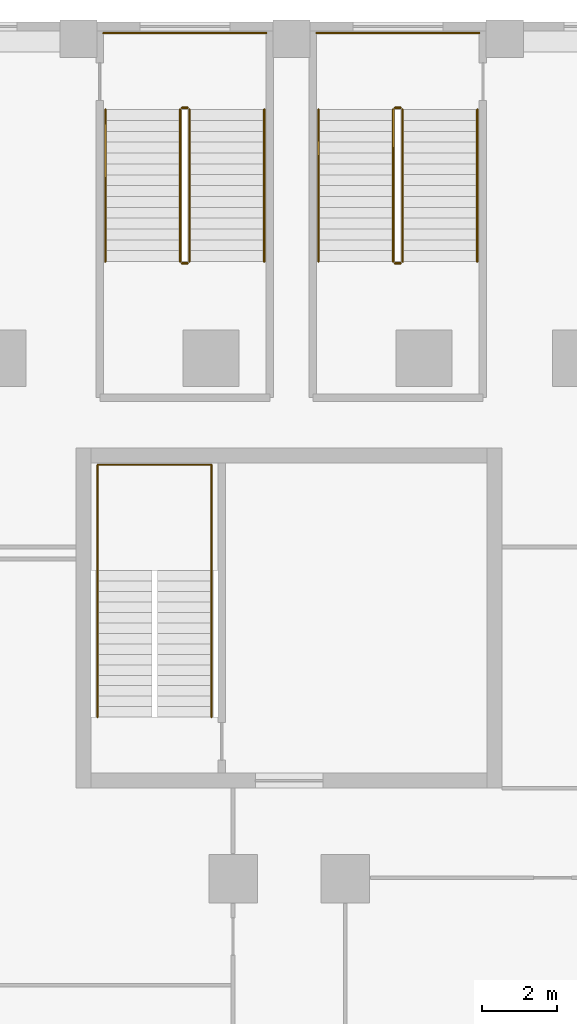
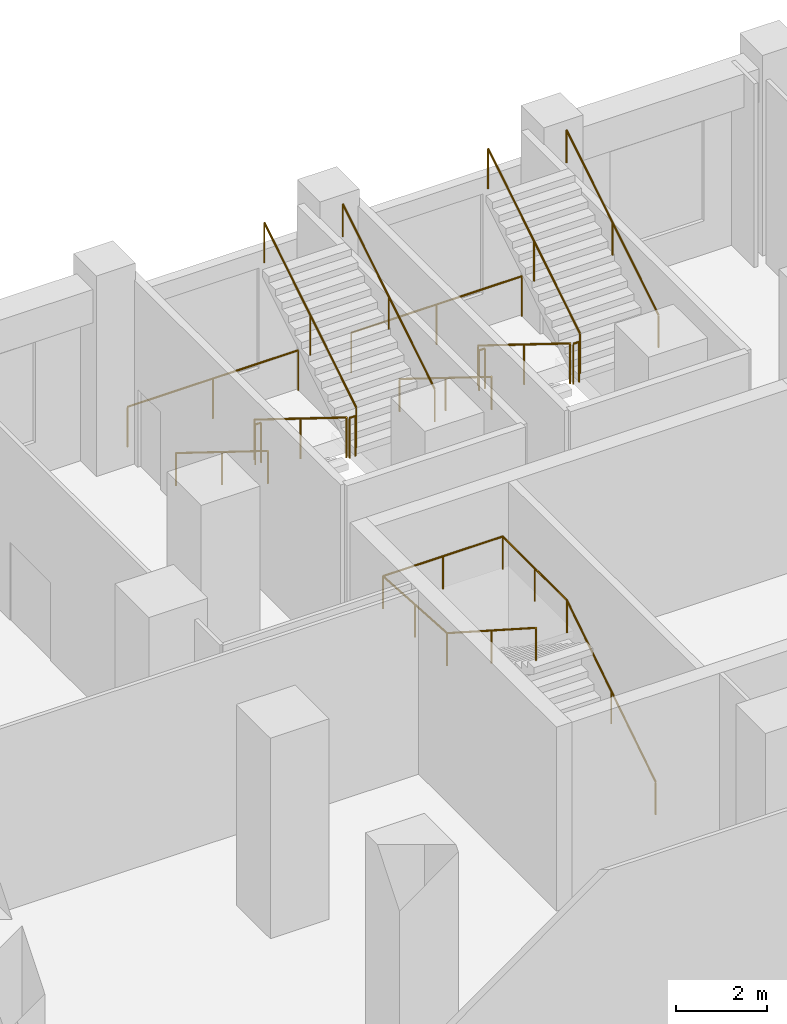
# One storey, part 23 of 23: 15 railings.
"""IFC4 building model written with IfcOpenShell, lengths in metres."""

from ifc_helpers import new_model, si_unit, direction, frame, origin, origin_2d, place, context, subcontext, project, spatial, circle, extrude, material, type_object, element, save


model = new_model("IFC4")

# Units and contexts
model_context = context("Model", 3, precision=1e-05, world=origin(), true_north=direction((0.0, 1.0)))
body_context = subcontext(model_context, "Body", "Model", "MODEL_VIEW")
ifc_project = project(units=[si_unit("LENGTHUNIT", "METRE"), si_unit("AREAUNIT", "SQUARE_METRE"), si_unit("VOLUMEUNIT", "CUBIC_METRE"), si_unit("PLANEANGLEUNIT", "RADIAN"), si_unit("MASSUNIT", "GRAM", prefix="KILO")], contexts=[model_context])

# Site, building, storey
site_placement = place(None, origin())
site = spatial("IfcSite", under=ifc_project, at=site_placement, CompositionType="ELEMENT")
building_placement = place(site_placement, origin())
building = spatial("IfcBuilding", under=site, at=building_placement, Name="Meshkara Civic Tower", CompositionType="ELEMENT")
storey_placement = place(building_placement, frame((0.0, 0.0, 7.199951171875)))
storey = spatial("IfcBuildingStorey", under=building, at=storey_placement, Name="L01", CompositionType="ELEMENT", Elevation=7.199951171875)

# Railings
ifc_material_1 = material(Name="Steel guard", Category="steel")
railing_type_1 = type_object("IfcRailingType", Name="Podium stair guard 1100", PredefinedType="GUARDRAIL", material=ifc_material_1)
railing_1_placement = place(storey_placement, frame((8.485107421875, 89.419921875, 0.179931640625)))
element("IfcRailing", 1, at=railing_1_placement, inside=storey, type_object=railing_type_1, Name="L01 PS1 stair guard 1", PredefinedType="GUARDRAIL", context=body_context, shape_type="SweptSolid", body=[
    extrude(circle(Radius=0.02392578125, at=origin_2d()), frame((0.0, 0.0, 1.076171875), z_axis=(0.0, -0.849627535208, 0.527383211162), x_axis=(1.0, 0.0, 0.0)), (0.0, 0.0, 1.0), 4.7783203125),
    extrude(circle(Radius=0.02099609375, at=origin_2d()), origin(), (0.0, 0.0, 1.0), 1.052001953125),
    extrude(circle(Radius=0.02099609375, at=origin_2d()), frame((0.0, -2.02978515625, 1.260009765625)), (0.0, 0.0, 1.0), 1.052001953125),
    extrude(circle(Radius=0.02099609375, at=origin_2d()), frame((0.0, -4.059814453125, 2.52001953125)), (0.0, 0.0, 1.0), 1.052001953125),
])
railing_2_placement = place(storey_placement, frame((8.534912109375, 85.31005859375, 2.699951171875)))
element("IfcRailing", 2, at=railing_2_placement, inside=storey, type_object=railing_type_1, Name="L01 PS1 stair guard 2", PredefinedType="GUARDRAIL", context=body_context, shape_type="SweptSolid", body=[
    extrude(circle(Radius=0.02392578125, at=origin_2d()), frame((0.0, 0.0, 1.076171875), z_axis=(1.0, 0.0, 0.0), x_axis=(0.0, 1.0, 0.0)), (0.0, 0.0, 1.0), 0.150146484375),
    extrude(circle(Radius=0.02099609375, at=origin_2d()), origin(), (0.0, 0.0, 1.0), 1.052001953125),
    extrude(circle(Radius=0.02099609375, at=origin_2d()), frame((0.150146484375, 0.0, 0.0)), (0.0, 0.0, 1.0), 1.052001953125),
])
railing_3_placement = place(storey_placement, frame((8.735107421875, 85.360107421875, 2.880126953125)))
element("IfcRailing", 3, at=railing_3_placement, inside=storey, type_object=railing_type_1, Name="L01 PS1 stair guard 3", PredefinedType="GUARDRAIL", context=body_context, shape_type="SweptSolid", body=[
    extrude(circle(Radius=0.02392578125, at=origin_2d()), frame((0.0, 0.0, 1.076171875), z_axis=(0.0, 0.849627535208, 0.527383211162), x_axis=(-1.0, 0.0, 0.0)), (0.0, 0.0, 1.0), 4.7783203125),
    extrude(circle(Radius=0.02099609375, at=origin_2d()), origin(), (0.0, 0.0, 1.0), 1.052001953125),
    extrude(circle(Radius=0.02099609375, at=origin_2d()), frame((0.0, 2.02978515625, 1.260009765625)), (0.0, 0.0, 1.0), 1.052001953125),
    extrude(circle(Radius=0.02099609375, at=origin_2d()), frame((0.0, 4.059814453125, 2.52001953125)), (0.0, 0.0, 1.0), 1.052001953125),
])
railing_4_placement = place(storey_placement, frame((8.534912109375, 89.469970703125, 0.0)))
element("IfcRailing", 4, at=railing_4_placement, inside=storey, type_object=railing_type_1, Name="L01 PS1 stair guard 4", PredefinedType="GUARDRAIL", context=body_context, shape_type="SweptSolid", body=[
    extrude(circle(Radius=0.02392578125, at=origin_2d()), frame((0.0, 0.0, 1.076171875), z_axis=(1.0, 0.0, 0.0), x_axis=(0.0, 1.0, 0.0)), (0.0, 0.0, 1.0), 0.150146484375),
    extrude(circle(Radius=0.02099609375, at=origin_2d()), origin(), (0.0, 0.0, 1.0), 1.052001953125),
    extrude(circle(Radius=0.02099609375, at=origin_2d()), frame((0.150146484375, 0.0, 0.0)), (0.0, 0.0, 1.0), 1.052001953125),
])
railing_5_placement = place(storey_placement, frame((6.43505859375, 91.469970703125, 0.0)))
element("IfcRailing", 5, at=railing_5_placement, inside=storey, type_object=railing_type_1, Name="L01 PS1 stair guard 5", PredefinedType="GUARDRAIL", context=body_context, shape_type="SweptSolid", body=[
    extrude(circle(Radius=0.02392578125, at=origin_2d()), frame((0.0, 0.0, 1.076171875), z_axis=(1.0, 0.0, 0.0), x_axis=(0.0, 1.0, 0.0)), (0.0, 0.0, 1.0), 4.349853515625),
    extrude(circle(Radius=0.02099609375, at=origin_2d()), origin(), (0.0, 0.0, 1.0), 1.052001953125),
    extrude(circle(Radius=0.02099609375, at=origin_2d()), frame((2.1748046875, 0.0, 0.0)), (0.0, 0.0, 1.0), 1.052001953125),
    extrude(circle(Radius=0.02099609375, at=origin_2d()), frame((4.349853515625, 0.0, 0.0)), (0.0, 0.0, 1.0), 1.052001953125),
])
railing_6_placement = place(storey_placement, frame((14.18505859375, 89.419921875, 0.179931640625)))
element("IfcRailing", 6, at=railing_6_placement, inside=storey, type_object=railing_type_1, Name="L01 PS2 stair guard 1", PredefinedType="GUARDRAIL", context=body_context, shape_type="SweptSolid", body=[
    extrude(circle(Radius=0.02392578125, at=origin_2d()), frame((0.0, 0.0, 1.076171875), z_axis=(0.0, -0.849627535208, 0.527383211162), x_axis=(1.0, 0.0, 0.0)), (0.0, 0.0, 1.0), 4.7783203125),
    extrude(circle(Radius=0.02099609375, at=origin_2d()), origin(), (0.0, 0.0, 1.0), 1.052001953125),
    extrude(circle(Radius=0.02099609375, at=origin_2d()), frame((0.0, -2.02978515625, 1.260009765625)), (0.0, 0.0, 1.0), 1.052001953125),
    extrude(circle(Radius=0.02099609375, at=origin_2d()), frame((0.0, -4.059814453125, 2.52001953125)), (0.0, 0.0, 1.0), 1.052001953125),
])
railing_7_placement = place(storey_placement, frame((14.235107421875, 85.31005859375, 2.699951171875)))
element("IfcRailing", 7, at=railing_7_placement, inside=storey, type_object=railing_type_1, Name="L01 PS2 stair guard 2", PredefinedType="GUARDRAIL", context=body_context, shape_type="SweptSolid", body=[
    extrude(circle(Radius=0.02392578125, at=origin_2d()), frame((0.0, 0.0, 1.076171875), z_axis=(1.0, 0.0, 0.0), x_axis=(0.0, 1.0, 0.0)), (0.0, 0.0, 1.0), 0.14990234375),
    extrude(circle(Radius=0.02099609375, at=origin_2d()), origin(), (0.0, 0.0, 1.0), 1.052001953125),
    extrude(circle(Radius=0.02099609375, at=origin_2d()), frame((0.14990234375, 0.0, 0.0)), (0.0, 0.0, 1.0), 1.052001953125),
])
railing_8_placement = place(storey_placement, frame((14.43505859375, 85.360107421875, 2.880126953125)))
element("IfcRailing", 8, at=railing_8_placement, inside=storey, type_object=railing_type_1, Name="L01 PS2 stair guard 3", PredefinedType="GUARDRAIL", context=body_context, shape_type="SweptSolid", body=[
    extrude(circle(Radius=0.02392578125, at=origin_2d()), frame((0.0, 0.0, 1.076171875), z_axis=(0.0, 0.849627535208, 0.527383211162), x_axis=(-1.0, 0.0, 0.0)), (0.0, 0.0, 1.0), 4.7783203125),
    extrude(circle(Radius=0.02099609375, at=origin_2d()), origin(), (0.0, 0.0, 1.0), 1.052001953125),
    extrude(circle(Radius=0.02099609375, at=origin_2d()), frame((0.0, 2.02978515625, 1.260009765625)), (0.0, 0.0, 1.0), 1.052001953125),
    extrude(circle(Radius=0.02099609375, at=origin_2d()), frame((0.0, 4.059814453125, 2.52001953125)), (0.0, 0.0, 1.0), 1.052001953125),
])
railing_9_placement = place(storey_placement, frame((14.235107421875, 89.469970703125, 0.0)))
element("IfcRailing", 9, at=railing_9_placement, inside=storey, type_object=railing_type_1, Name="L01 PS2 stair guard 4", PredefinedType="GUARDRAIL", context=body_context, shape_type="SweptSolid", body=[
    extrude(circle(Radius=0.02392578125, at=origin_2d()), frame((0.0, 0.0, 1.076171875), z_axis=(1.0, 0.0, 0.0), x_axis=(0.0, 1.0, 0.0)), (0.0, 0.0, 1.0), 0.14990234375),
    extrude(circle(Radius=0.02099609375, at=origin_2d()), origin(), (0.0, 0.0, 1.0), 1.052001953125),
    extrude(circle(Radius=0.02099609375, at=origin_2d()), frame((0.14990234375, 0.0, 0.0)), (0.0, 0.0, 1.0), 1.052001953125),
])
railing_10_placement = place(storey_placement, frame((12.135009765625, 91.469970703125, 0.0)))
element("IfcRailing", 10, at=railing_10_placement, inside=storey, type_object=railing_type_1, Name="L01 PS2 stair guard 5", PredefinedType="GUARDRAIL", context=body_context, shape_type="SweptSolid", body=[
    extrude(circle(Radius=0.02392578125, at=origin_2d()), frame((0.0, 0.0, 1.076171875), z_axis=(1.0, 0.0, 0.0), x_axis=(0.0, 1.0, 0.0)), (0.0, 0.0, 1.0), 4.35009765625),
    extrude(circle(Radius=0.02099609375, at=origin_2d()), origin(), (0.0, 0.0, 1.0), 1.052001953125),
    extrude(circle(Radius=0.02099609375, at=origin_2d()), frame((2.175048828125, 0.0, 0.0)), (0.0, 0.0, 1.0), 1.052001953125),
    extrude(circle(Radius=0.02099609375, at=origin_2d()), frame((4.35009765625, 0.0, 0.0)), (0.0, 0.0, 1.0), 1.052001953125),
])
ifc_material_2 = material(Name="Steel handrail", Category="steel")
railing_type_2 = type_object("IfcRailingType", Name="Podium stair handrail 900", PredefinedType="HANDRAIL", material=ifc_material_2)
railing_11_placement = place(storey_placement, frame((6.485107421875, 89.419921875, 0.179931640625)))
element("IfcRailing", 11, at=railing_11_placement, inside=storey, type_object=railing_type_2, Name="L01 PS1 stair handrail 1", PredefinedType="HANDRAIL", context=body_context, shape_type="SweptSolid", body=[
    extrude(circle(Radius=0.02392578125, at=origin_2d()), frame((0.0, 0.0, 0.8759765625), z_axis=(0.0, -0.849627535208, 0.527383211162), x_axis=(1.0, 0.0, 0.0)), (0.0, 0.0, 1.0), 4.7783203125),
    extrude(circle(Radius=0.02099609375, at=origin_2d()), origin(), (0.0, 0.0, 1.0), 0.851806640625),
    extrude(circle(Radius=0.02099609375, at=origin_2d()), frame((0.0, -2.02978515625, 1.260009765625)), (0.0, 0.0, 1.0), 0.851806640625),
    extrude(circle(Radius=0.02099609375, at=origin_2d()), frame((0.0, -4.059814453125, 2.52001953125)), (0.0, 0.0, 1.0), 0.851806640625),
])
railing_12_placement = place(storey_placement, frame((10.735107421875, 85.360107421875, 2.880126953125)))
element("IfcRailing", 12, at=railing_12_placement, inside=storey, type_object=railing_type_2, Name="L01 PS1 stair handrail 2", PredefinedType="HANDRAIL", context=body_context, shape_type="SweptSolid", body=[
    extrude(circle(Radius=0.02392578125, at=origin_2d()), frame((0.0, 0.0, 0.8759765625), z_axis=(0.0, 0.849627535208, 0.527383211162), x_axis=(-1.0, 0.0, 0.0)), (0.0, 0.0, 1.0), 4.7783203125),
    extrude(circle(Radius=0.02099609375, at=origin_2d()), origin(), (0.0, 0.0, 1.0), 0.851806640625),
    extrude(circle(Radius=0.02099609375, at=origin_2d()), frame((0.0, 2.02978515625, 1.260009765625)), (0.0, 0.0, 1.0), 0.851806640625),
    extrude(circle(Radius=0.02099609375, at=origin_2d()), frame((0.0, 4.059814453125, 2.52001953125)), (0.0, 0.0, 1.0), 0.851806640625),
])
railing_13_placement = place(storey_placement, frame((12.18505859375, 89.419921875, 0.179931640625)))
element("IfcRailing", 13, at=railing_13_placement, inside=storey, type_object=railing_type_2, Name="L01 PS2 stair handrail 1", PredefinedType="HANDRAIL", context=body_context, shape_type="SweptSolid", body=[
    extrude(circle(Radius=0.02392578125, at=origin_2d()), frame((0.0, 0.0, 0.8759765625), z_axis=(0.0, -0.849627535208, 0.527383211162), x_axis=(1.0, 0.0, 0.0)), (0.0, 0.0, 1.0), 4.7783203125),
    extrude(circle(Radius=0.02099609375, at=origin_2d()), origin(), (0.0, 0.0, 1.0), 0.851806640625),
    extrude(circle(Radius=0.02099609375, at=origin_2d()), frame((0.0, -2.02978515625, 1.260009765625)), (0.0, 0.0, 1.0), 0.851806640625),
    extrude(circle(Radius=0.02099609375, at=origin_2d()), frame((0.0, -4.059814453125, 2.52001953125)), (0.0, 0.0, 1.0), 0.851806640625),
])
railing_14_placement = place(storey_placement, frame((16.43505859375, 85.360107421875, 2.880126953125)))
element("IfcRailing", 14, at=railing_14_placement, inside=storey, type_object=railing_type_2, Name="L01 PS2 stair handrail 2", PredefinedType="HANDRAIL", context=body_context, shape_type="SweptSolid", body=[
    extrude(circle(Radius=0.02392578125, at=origin_2d()), frame((0.0, 0.0, 0.8759765625), z_axis=(0.0, 0.849627535208, 0.527383211162), x_axis=(-1.0, 0.0, 0.0)), (0.0, 0.0, 1.0), 4.7783203125),
    extrude(circle(Radius=0.02099609375, at=origin_2d()), origin(), (0.0, 0.0, 1.0), 0.851806640625),
    extrude(circle(Radius=0.02099609375, at=origin_2d()), frame((0.0, 2.02978515625, 1.260009765625)), (0.0, 0.0, 1.0), 0.851806640625),
    extrude(circle(Radius=0.02099609375, at=origin_2d()), frame((0.0, 4.059814453125, 2.52001953125)), (0.0, 0.0, 1.0), 0.851806640625),
])
ifc_material_3 = material(Name="Steel handrail", Category="steel")
railing_type_3 = type_object("IfcRailingType", Name="Stair handrail 900", PredefinedType="HANDRAIL", material=ifc_material_3)
railing_15_placement = place(storey_placement, frame((9.324951171875, 73.169921875, 0.179931640625)))
element("IfcRailing", 15, at=railing_15_placement, inside=storey, type_object=railing_type_3, Name="L01 ESA1 stair handrail 1", PredefinedType="HANDRAIL", context=body_context, shape_type="SweptSolid", body=[
    extrude(circle(Radius=0.02392578125, at=origin_2d()), frame((0.0, 0.0, 0.8759765625), z_axis=(0.0, 0.841186985886, 0.540744352514), x_axis=(-1.0, 0.0, 0.0)), (0.0, 0.0, 1.0), 4.660400390625),
    extrude(circle(Radius=0.02392578125, at=origin_2d()), frame((0.0, 3.920166015625, 3.39599609375), z_axis=(0.0, 1.0, 0.0), x_axis=(-1.0, 0.0, 0.0)), (0.0, 0.0, 1.0), 2.829833984375),
    extrude(circle(Radius=0.02392578125, at=origin_2d()), frame((0.0, 6.75, 3.39599609375), z_axis=(-1.0, 0.0, 0.0), x_axis=(0.0, -1.0, 0.0)), (0.0, 0.0, 1.0), 3.050048828125),
    extrude(circle(Radius=0.02392578125, at=origin_2d()), frame((-3.050048828125, 6.75, 3.39599609375), z_axis=(0.0, -0.997979201876, 0.063541424466), x_axis=(1.0, 0.0, 0.0)), (0.0, 0.0, 1.0), 2.83544921875),
    extrude(circle(Radius=0.02392578125, at=origin_2d()), frame((-3.050048828125, 3.920166015625, 3.576171875), z_axis=(0.0, -0.841186985886, 0.540744352514), x_axis=(1.0, 0.0, 0.0)), (0.0, 0.0, 1.0), 4.660400390625),
    extrude(circle(Radius=0.02099609375, at=origin_2d()), origin(), (0.0, 0.0, 1.0), 0.851806640625),
    extrude(circle(Radius=0.02099609375, at=origin_2d()), frame((0.0, 1.9599609375, 1.260009765625)), (0.0, 0.0, 1.0), 0.851806640625),
    extrude(circle(Radius=0.02099609375, at=origin_2d()), frame((0.0, 3.920166015625, 2.52001953125)), (0.0, 0.0, 1.0), 0.851806640625),
    extrude(circle(Radius=0.02099609375, at=origin_2d()), frame((0.0, 5.3349609375, 2.52001953125)), (0.0, 0.0, 1.0), 0.851806640625),
    extrude(circle(Radius=0.02099609375, at=origin_2d()), frame((0.0, 6.75, 2.52001953125)), (0.0, 0.0, 1.0), 0.851806640625),
    extrude(circle(Radius=0.02099609375, at=origin_2d()), frame((-1.52490234375, 6.75, 2.52001953125)), (0.0, 0.0, 1.0), 0.851806640625),
    extrude(circle(Radius=0.02099609375, at=origin_2d()), frame((-3.050048828125, 6.75, 2.52001953125)), (0.0, 0.0, 1.0), 0.851806640625),
    extrude(circle(Radius=0.02099609375, at=origin_2d()), frame((-3.050048828125, 5.3349609375, 2.610107421875)), (0.0, 0.0, 1.0), 0.851806640625),
    extrude(circle(Radius=0.02099609375, at=origin_2d()), frame((-3.050048828125, 3.920166015625, 2.7001953125)), (0.0, 0.0, 1.0), 0.851806640625),
    extrude(circle(Radius=0.02099609375, at=origin_2d()), frame((-3.050048828125, 1.9599609375, 3.960205078125)), (0.0, 0.0, 1.0), 0.851806640625),
    extrude(circle(Radius=0.02099609375, at=origin_2d()), frame((-3.050048828125, 0.0, 5.22021484375)), (0.0, 0.0, 1.0), 0.851806640625),
])

save(model, "model.ifc")
